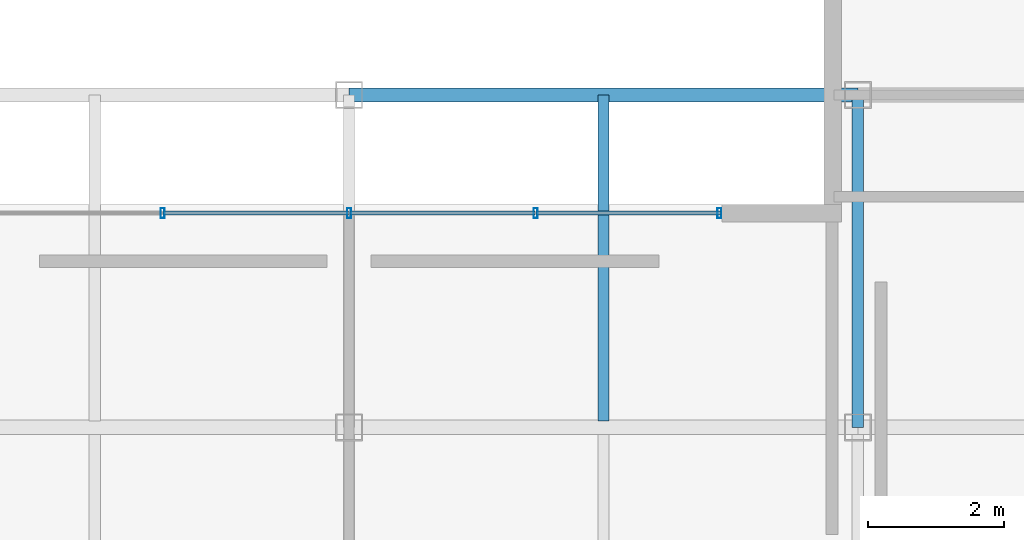
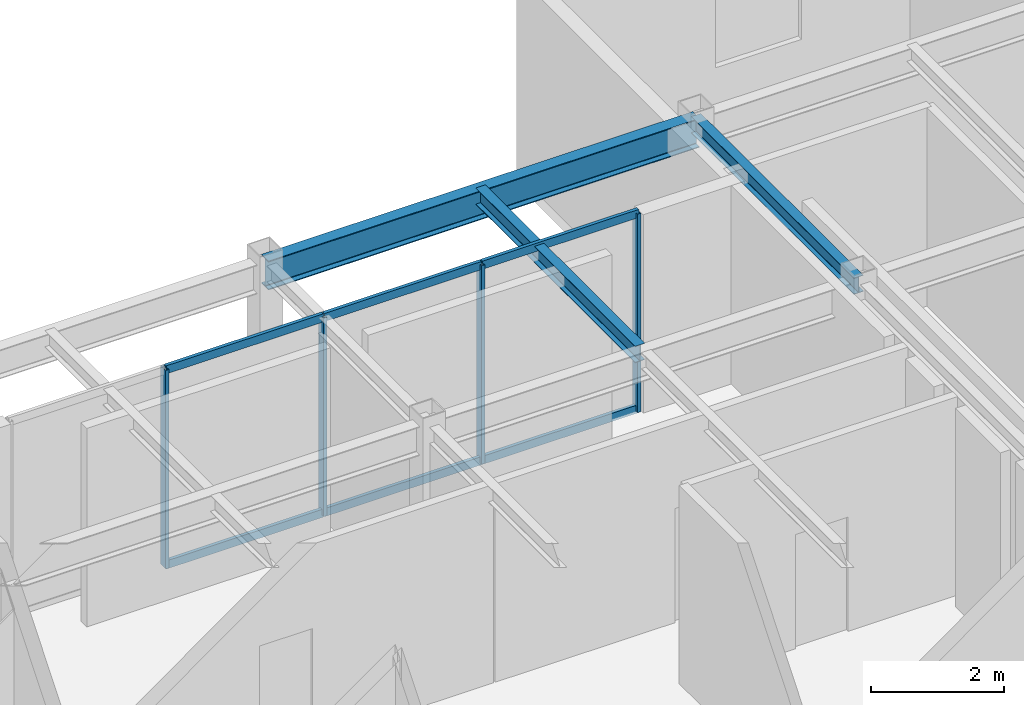
# One storey, part 4 of 10: 10 members, 3 beams, 1 element without a shape of its own.
"""IFC4 building model written with IfcOpenShell, lengths in metres."""

from ifc_helpers import new_model, si_unit, direction, frame, origin, origin_2d, place, context, subcontext, project, spatial, hollow_rectangle, i_section, extrude, material, material_profile, profile_set, type_object, element, aggregate, save


model = new_model("IFC4")

# Units and contexts
model_context = context("Model", 3, precision=1e-05, world=origin(), true_north=direction((0.0, 1.0)))
body_context = subcontext(model_context, "Body", "Model", "MODEL_VIEW")
ifc_project = project(units=[si_unit("LENGTHUNIT", "METRE"), si_unit("AREAUNIT", "SQUARE_METRE"), si_unit("VOLUMEUNIT", "CUBIC_METRE"), si_unit("PLANEANGLEUNIT", "RADIAN"), si_unit("MASSUNIT", "GRAM", prefix="KILO")], contexts=[model_context])

# Site, building, storey
site_placement = place(None, origin())
site = spatial("IfcSite", under=ifc_project, at=site_placement, CompositionType="ELEMENT")
building_placement = place(site_placement, origin())
building = spatial("IfcBuilding", under=site, at=building_placement, Name="Ventersveld Concourse Tower", CompositionType="ELEMENT")
storey_placement = place(building_placement, frame((0.0, 0.0, 313.050048828125)))
storey = spatial("IfcBuildingStorey", under=building, at=storey_placement, Name="L77", CompositionType="ELEMENT", Elevation=313.050048828125)

# Beams
ifc_material_1 = material(Name="Structural steel S355J2", Category="steel")
ifc_material_profile_1 = material_profile(ifc_material_1, i_section(OverallWidth=0.1650390625, OverallDepth=0.303466796875, WebThickness=0.006103515625, FlangeThickness=0.01025390625, FilletRadius=0.0087890625, at=origin_2d()), Name="UB 305x165x40")
ifc_profile_set_1 = profile_set([ifc_material_profile_1], Name="Structural steel S355J2")
beam_type_1 = type_object("IfcBeamType", Name="BM-UB305", PredefinedType="BEAM", material=ifc_profile_set_1)
beam_1_placement = place(storey_placement, frame((32.5, 23.695068359375, 3.498291015625), z_axis=(0.0, 1.0, 0.0), x_axis=(-1.0, 0.0, 0.0)))
element("IfcBeam", 1, at=beam_1_placement, inside=storey, type_object=beam_type_1, Name="L77 N-S Upper-Zone Floor Beam X=32.50", PredefinedType="BEAM", context=body_context, shape_type="SweptSolid", body=[
    extrude(i_section(OverallWidth=0.1650390625, OverallDepth=0.303466796875, WebThickness=0.006103515625, FlangeThickness=0.01025390625, FilletRadius=0.0087890625, at=origin_2d()), origin(), (0.0, 0.0, 1.0), 4.804931640625),
])
beam_2_placement = place(storey_placement, frame((36.25, 23.60009765625, 3.498291015625), z_axis=(0.0, 1.0, 0.0), x_axis=(-1.0, 0.0, 0.0)))
element("IfcBeam", 2, at=beam_2_placement, inside=storey, type_object=beam_type_1, Name="L77 N-S Upper-Zone Floor Beam X=36.25", PredefinedType="BEAM", context=body_context, shape_type="SweptSolid", body=[
    extrude(i_section(OverallWidth=0.1650390625, OverallDepth=0.303466796875, WebThickness=0.006103515625, FlangeThickness=0.01025390625, FilletRadius=0.0087890625, at=origin_2d()), origin(), (0.0, 0.0, 1.0), 4.89990234375),
])

# Curtain wall, members
ifc_material_2 = material(Name="Anodised aluminium EN AW-6063-T6", Category="aluminium")
curtain_wall_type = type_object("IfcCurtainWallType", Name="CW-SG-4", PredefinedType="NOTDEFINED", material=ifc_material_2)
curtain_wall_placement = place(storey_placement, origin())
curtain_wall = element("IfcCurtainWall", 3, at=curtain_wall_placement, inside=storey, type_object=curtain_wall_type, Name="L77 L77 Sky Garden Recessed Curtain Wall", PredefinedType="NOTDEFINED")
ifc_material_profile_2 = material_profile(ifc_material_2, hollow_rectangle(XDim=0.06005859375, YDim=0.14990234375, WallThickness=0.00390625, at=origin_2d()), Name="ALU 150x60x4")
ifc_profile_set_2 = profile_set([ifc_material_profile_2], Name="Anodised aluminium EN AW-6063-T6")
member_type_1 = type_object("IfcMemberType", Name="CWM-150x65", PredefinedType="MULLION", material=ifc_profile_set_2)
member_1_placement = place(storey_placement, frame((26.0, 26.757568359375, 0.0), z_axis=(0.0, 0.0, 1.0), x_axis=(1.0, 0.0, 0.0)))
member_1 = element("IfcMember", 4, at=member_1_placement, type_object=member_type_1, Name="CW-L77-SG Mullion 02", PredefinedType="MULLION", context=body_context, shape_type="SweptSolid", body=[
    extrude(hollow_rectangle(XDim=0.06005859375, YDim=0.14990234375, WallThickness=0.00390625, at=origin_2d()), origin(), (0.0, 0.0, 1.0), 3.64990234375),
])
member_2_placement = place(storey_placement, frame((28.75, 26.757568359375, 0.0), z_axis=(0.0, 0.0, 1.0), x_axis=(1.0, 0.0, 0.0)))
member_2 = element("IfcMember", 5, at=member_2_placement, type_object=member_type_1, Name="CW-L77-SG Mullion 03", PredefinedType="MULLION", context=body_context, shape_type="SweptSolid", body=[
    extrude(hollow_rectangle(XDim=0.06005859375, YDim=0.14990234375, WallThickness=0.00390625, at=origin_2d()), origin(), (0.0, 0.0, 1.0), 3.64990234375),
])
member_3_placement = place(storey_placement, frame((31.5, 26.757568359375, 0.0), z_axis=(0.0, 0.0, 1.0), x_axis=(1.0, 0.0, 0.0)))
member_3 = element("IfcMember", 6, at=member_3_placement, type_object=member_type_1, Name="CW-L77-SG Mullion 04", PredefinedType="MULLION", context=body_context, shape_type="SweptSolid", body=[
    extrude(hollow_rectangle(XDim=0.06005859375, YDim=0.14990234375, WallThickness=0.00390625, at=origin_2d()), origin(), (0.0, 0.0, 1.0), 3.64990234375),
])
member_4_placement = place(storey_placement, frame((34.2099609375, 26.757568359375, 0.0), z_axis=(0.0, 0.0, 1.0), x_axis=(1.0, 0.0, 0.0)))
member_4 = element("IfcMember", 7, at=member_4_placement, type_object=member_type_1, Name="CW-L77-SG Mullion 05", PredefinedType="MULLION", context=body_context, shape_type="SweptSolid", body=[
    extrude(hollow_rectangle(XDim=0.06005859375, YDim=0.14990234375, WallThickness=0.00390625, at=origin_2d()), origin(), (0.0, 0.0, 1.0), 3.64990234375),
])
ifc_material_profile_3 = material_profile(ifc_material_2, hollow_rectangle(XDim=0.06005859375, YDim=0.14990234375, WallThickness=0.00390625, at=origin_2d()), Name="ALU 150x60x4")
ifc_profile_set_3 = profile_set([ifc_material_profile_3], Name="Anodised aluminium EN AW-6063-T6")
member_type_2 = type_object("IfcMemberType", Name="CWT-150x60", PredefinedType="USERDEFINED", material=ifc_profile_set_3)
member_5_placement = place(storey_placement, frame((26.010009765625, 26.757568359375, 0.030029296875), z_axis=(1.0, 0.0, 0.0), x_axis=(0.0, 1.0, 0.0)))
member_5 = element("IfcMember", 8, at=member_5_placement, type_object=member_type_2, Name="CW-L77-SG Transom 1-02", ObjectType="TRANSOM", PredefinedType="USERDEFINED", context=body_context, shape_type="SweptSolid", body=[
    extrude(hollow_rectangle(XDim=0.06005859375, YDim=0.14990234375, WallThickness=0.00390625, at=origin_2d()), origin(), (0.0, 0.0, 1.0), 2.72998046875),
])
member_6_placement = place(storey_placement, frame((28.760009765625, 26.757568359375, 0.030029296875), z_axis=(1.0, 0.0, 0.0), x_axis=(0.0, 1.0, 0.0)))
member_6 = element("IfcMember", 9, at=member_6_placement, type_object=member_type_2, Name="CW-L77-SG Transom 1-03", ObjectType="TRANSOM", PredefinedType="USERDEFINED", context=body_context, shape_type="SweptSolid", body=[
    extrude(hollow_rectangle(XDim=0.06005859375, YDim=0.14990234375, WallThickness=0.00390625, at=origin_2d()), origin(), (0.0, 0.0, 1.0), 2.72998046875),
])
member_7_placement = place(storey_placement, frame((31.510009765625, 26.757568359375, 0.030029296875), z_axis=(1.0, 0.0, 0.0), x_axis=(0.0, 1.0, 0.0)))
member_7 = element("IfcMember", 10, at=member_7_placement, type_object=member_type_2, Name="CW-L77-SG Transom 1-04", ObjectType="TRANSOM", PredefinedType="USERDEFINED", context=body_context, shape_type="SweptSolid", body=[
    extrude(hollow_rectangle(XDim=0.06005859375, YDim=0.14990234375, WallThickness=0.00390625, at=origin_2d()), origin(), (0.0, 0.0, 1.0), 2.719970703125),
])
member_8_placement = place(storey_placement, frame((26.010009765625, 26.757568359375, 3.619873046875), z_axis=(1.0, 0.0, 0.0), x_axis=(0.0, 1.0, 0.0)))
member_8 = element("IfcMember", 11, at=member_8_placement, type_object=member_type_2, Name="CW-L77-SG Transom 2-02", ObjectType="TRANSOM", PredefinedType="USERDEFINED", context=body_context, shape_type="SweptSolid", body=[
    extrude(hollow_rectangle(XDim=0.06005859375, YDim=0.14990234375, WallThickness=0.00390625, at=origin_2d()), origin(), (0.0, 0.0, 1.0), 2.72998046875),
])
member_9_placement = place(storey_placement, frame((28.760009765625, 26.757568359375, 3.619873046875), z_axis=(1.0, 0.0, 0.0), x_axis=(0.0, 1.0, 0.0)))
member_9 = element("IfcMember", 12, at=member_9_placement, type_object=member_type_2, Name="CW-L77-SG Transom 2-03", ObjectType="TRANSOM", PredefinedType="USERDEFINED", context=body_context, shape_type="SweptSolid", body=[
    extrude(hollow_rectangle(XDim=0.06005859375, YDim=0.14990234375, WallThickness=0.00390625, at=origin_2d()), origin(), (0.0, 0.0, 1.0), 2.72998046875),
])
member_10_placement = place(storey_placement, frame((31.510009765625, 26.757568359375, 3.619873046875), z_axis=(1.0, 0.0, 0.0), x_axis=(0.0, 1.0, 0.0)))
member_10 = element("IfcMember", 13, at=member_10_placement, type_object=member_type_2, Name="CW-L77-SG Transom 2-04", ObjectType="TRANSOM", PredefinedType="USERDEFINED", context=body_context, shape_type="SweptSolid", body=[
    extrude(hollow_rectangle(XDim=0.06005859375, YDim=0.14990234375, WallThickness=0.00390625, at=origin_2d()), origin(), (0.0, 0.0, 1.0), 2.719970703125),
])
aggregate(curtain_wall, [member_1, member_2, member_3, member_4, member_5, member_6, member_7, member_8, member_9, member_10])

# Beam
ifc_material_profile_4 = material_profile(ifc_material_1, i_section(OverallWidth=0.209228515625, OverallDepth=0.533203125, WebThickness=0.010009765625, FlangeThickness=0.015625, FilletRadius=0.0126953125, at=origin_2d()), Name="UB 533x210x92")
ifc_profile_set_4 = profile_set([ifc_material_profile_4], Name="Structural steel S355J2")
beam_type_2 = type_object("IfcBeamType", Name="GRD-UB533", PredefinedType="T_BEAM", material=ifc_profile_set_4)
beam_3_placement = place(storey_placement, frame((28.75, 28.5, 3.38330078125), z_axis=(1.0, 0.0, 0.0), x_axis=(0.0, 1.0, 0.0)))
element("IfcBeam", 14, at=beam_3_placement, inside=storey, type_object=beam_type_2, Name="L77 Upper-North E-W Girder Y=28.50 #3", PredefinedType="T_BEAM", context=body_context, shape_type="SweptSolid", body=[
    extrude(i_section(OverallWidth=0.209228515625, OverallDepth=0.533203125, WebThickness=0.010009765625, FlangeThickness=0.015625, FilletRadius=0.0126953125, at=origin_2d()), origin(), (0.0, 0.0, 1.0), 7.5),
])

save(model, "model.ifc")
